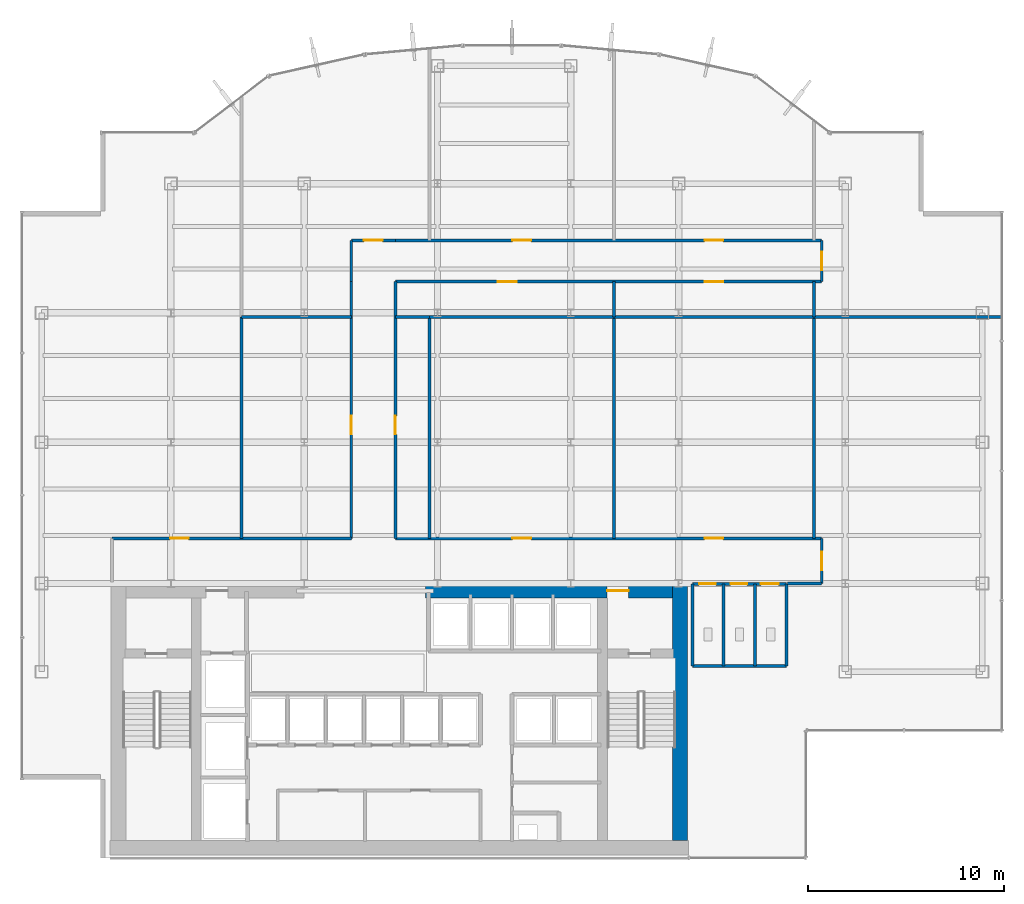
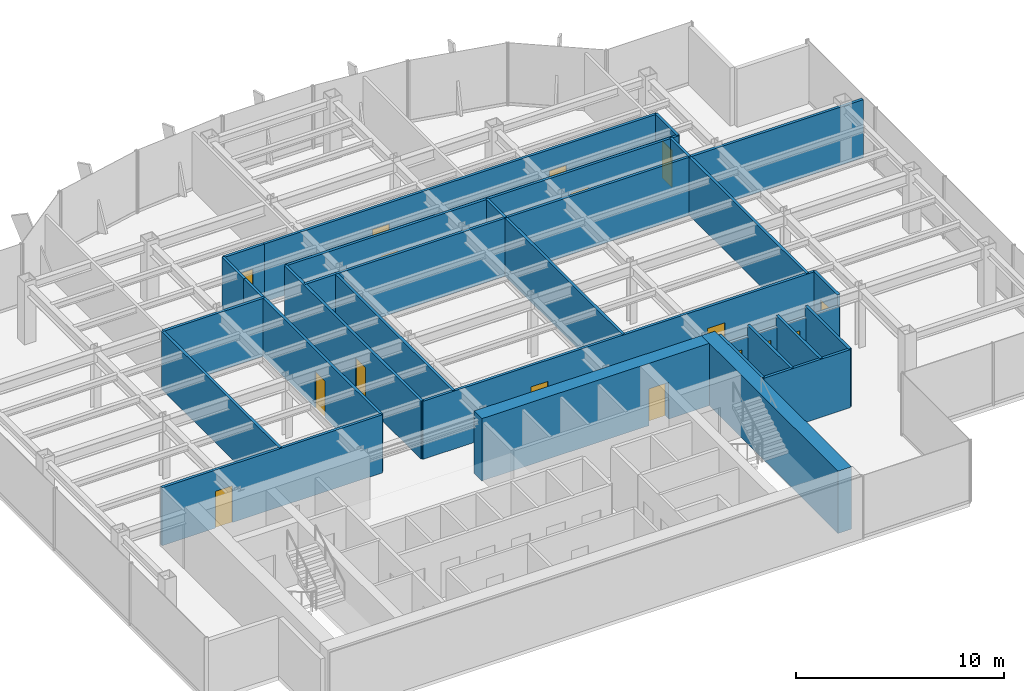
# One storey, part 21 of 25: 30 walls, 16 doors, 16 openings.
"""IFC4 building model written with IfcOpenShell, lengths in metres."""

from ifc_helpers import new_model, si_unit, derived_unit, direction, frame, frame_2d, origin, place, context, subcontext, project, spatial, rectangle, extrude, source, transform, mapped, material, layer, layer_set, type_object, element, fill, save


model = new_model("IFC4")

# Units and contexts
model_context = context("Model", 3, precision=1e-05, world=origin(), true_north=direction((0.0, 1.0)))
body_context = subcontext(model_context, "Body", "Model", "MODEL_VIEW")
ifc_project = project(units=[si_unit("LENGTHUNIT", "METRE"), si_unit("AREAUNIT", "SQUARE_METRE"), si_unit("VOLUMEUNIT", "CUBIC_METRE"), si_unit("PLANEANGLEUNIT", "RADIAN"), si_unit("MASSUNIT", "GRAM", prefix="KILO"), derived_unit("THERMALTRANSMITTANCEUNIT", [(si_unit("POWERUNIT", "WATT"), 1), (si_unit("LENGTHUNIT", "METRE"), -2), (si_unit("THERMODYNAMICTEMPERATUREUNIT", "KELVIN"), -1)])], contexts=[model_context])

# Site, building, storey
site_placement = place(None, origin())
site = spatial("IfcSite", under=ifc_project, at=site_placement, CompositionType="ELEMENT")
building_placement = place(site_placement, origin())
building = spatial("IfcBuilding", under=site, at=building_placement, Name="Skarnbrae Concourse Arena and Tower", CompositionType="ELEMENT")
storey_placement = place(building_placement, frame((0.0, 0.0, 173.449951171875)))
storey = spatial("IfcBuildingStorey", under=building, at=storey_placement, Name="L44", CompositionType="ELEMENT", Elevation=173.449951171875)

# Wall
ifc_material_1 = material(Name="Concrete 60 MPa (C60/75)", Category="concrete")
ifc_layer_1 = layer(ifc_material_1, 0.75)
ifc_layer_set_1 = layer_set([ifc_layer_1], Name="Concrete 60 MPa (C60/75)")
wall_type_1 = type_object("IfcWallType", Name="WALL-CORE-750-C60", PredefinedType="SHEAR", material=ifc_layer_set_1)
shared_shape_1 = source(origin(), body_context, "Body", "SweptSolid", [
    extrude(rectangle(XDim=13.10009765625, YDim=0.75, at=frame_2d((6.550048828125, 0.0))), origin(), (0.0, 0.0, 1.0), 3.650146484375),
])
wall_1_placement = place(storey_placement, frame((33.574951171875, 0.89990234375, 0.0), z_axis=(0.0, 0.0, 1.0), x_axis=(0.0, 1.0, 0.0)))
element("IfcWall", 1, at=wall_1_placement, inside=storey, type_object=wall_type_1, Name="L44 Rear core shear wall CW-E", PredefinedType="SHEAR", context=body_context, shape_type="MappedRepresentation", body=[
    mapped(shared_shape_1, transform((0.0, 0.0, 0.0))),
])

# Wall, opening, door
shared_shape_2 = source(origin(), body_context, "Body", "SweptSolid", [
    extrude(rectangle(XDim=12.599853515625, YDim=0.75, at=frame_2d((6.2998046875, 0.0))), origin(), (0.0, 0.0, 1.0), 3.650146484375),
])
wall_2_placement = place(storey_placement, frame((20.60009765625, 13.625, 0.0), z_axis=(0.0, 0.0, 1.0), x_axis=(1.0, 0.0, 0.0)))
wall_2 = element("IfcWall", 2, at=wall_2_placement, inside=storey, type_object=wall_type_1, Name="L44 Rear core shear wall CW-NE", PredefinedType="SHEAR", context=body_context, shape_type="MappedRepresentation", body=[
    mapped(shared_shape_2, transform((0.0, 0.0, 0.0))),
])
opening_1_placement = place(wall_2_placement, frame((9.25, 0.0, 0.0)))
opening_1 = element("IfcOpeningElement", 3, at=opening_1_placement, cuts=wall_2, Name="Opening DT-03", PredefinedType="OPENING", context=body_context, shape_type="SweptSolid", body=[
    extrude(rectangle(XDim=1.10009765625, YDim=2.14990234375, at=frame_2d((0.550048828125, 1.074951171875))), frame((0.0, 0.385009765625, 0.0), z_axis=(0.0, -1.0, 0.0), x_axis=(1.0, 0.0, 0.0)), (0.0, 0.0, 1.0), 0.77001953125),
])
ifc_material_2 = material(Name="Steel CSA G40.21 350W", Category="steel")
door_type_1 = type_object("IfcDoorType", Name="DOOR-FIRE-1100-90M", OperationType="NOTDEFINED", PredefinedType="DOOR", material=ifc_material_2)
shared_shape_3 = source(origin(), body_context, "Body", "SweptSolid", [
    extrude(rectangle(XDim=1.10009765625, YDim=2.14990234375, at=frame_2d((0.550048828125, 1.074951171875))), frame((0.0, 0.02490234375, 0.0), z_axis=(0.0, -1.0, 0.0), x_axis=(1.0, 0.0, 0.0)), (0.0, 0.0, 1.0), 0.050048828125),
])
door_1_placement = place(opening_1_placement, origin())
door_1 = element("IfcDoor", 4, at=door_1_placement, inside=storey, type_object=door_type_1, Name="D-1351 Stair ST-2 Vestibule Door", OperationType="SINGLE_SWING_LEFT", OverallHeight=2.14990234375, OverallWidth=1.10009765625, PredefinedType="DOOR", context=body_context, shape_type="MappedRepresentation", body=[
    mapped(shared_shape_3, transform((0.0, 0.0, 0.0))),
])
fill(opening_1, door_1)

# Walls
ifc_material_3 = material(Name="Gypsum board on cold-formed steel studs", Category="steel")
ifc_layer_2 = layer(ifc_material_3, 0.14990234375)
ifc_layer_set_2 = layer_set([ifc_layer_2], Name="Gypsum board on cold-formed steel studs")
wall_type_2 = type_object("IfcWallType", Name="WALL-PART-150", PredefinedType="PARTITIONING", material=ifc_layer_set_2)
shared_shape_4 = source(origin(), body_context, "Body", "SweptSolid", [
    extrude(rectangle(XDim=4.800048828125, YDim=0.14990234375, at=frame_2d((2.39990234375, 0.0))), origin(), (0.0, 0.0, 1.0), 3.400146484375),
])
wall_3_placement = place(storey_placement, frame((34.199951171875, 9.800048828125, 0.0), z_axis=(0.0, 0.0, 1.0), x_axis=(1.0, 0.0, 0.0)))
element("IfcWall", 5, at=wall_3_placement, inside=storey, type_object=wall_type_2, Name="L44 Interior partition wall W-L44-WC-S", PredefinedType="PARTITIONING", context=body_context, shape_type="MappedRepresentation", body=[
    mapped(shared_shape_4, transform((0.0, 0.0, 0.0))),
])
shared_shape_5 = source(origin(), body_context, "Body", "SweptSolid", [
    extrude(rectangle(XDim=4.179931640625, YDim=0.14990234375, at=frame_2d((2.08984375, 0.0))), origin(), (0.0, 0.0, 1.0), 3.400146484375),
])
for number, where, z_axis, x_axis, name in (
    (6, (39.0, 9.800048828125, 0.0), (0.0, 0.0, 1.0), (0.0, 1.0, 0.0), "L44 Interior partition wall W-L44-WC-E"),
    (7, (34.199951171875, 9.800048828125, 0.0), (0.0, 0.0, 1.0), (0.0, 1.0, 0.0), "L44 Interior partition wall W-L44-WC-W"),
    (8, (35.800048828125, 9.800048828125, 0.0), (0.0, 0.0, 1.0), (0.0, 1.0, 0.0), "L44 Interior partition wall W-L44-WC-D1"),
    (9, (37.39990234375, 9.800048828125, 0.0), (0.0, 0.0, 1.0), (0.0, 1.0, 0.0), "L44 Interior partition wall W-L44-WC-D2"),
):
    element("IfcWall", number, at=place(storey_placement, frame(where, z_axis=z_axis, x_axis=x_axis)), inside=storey, type_object=wall_type_2, Name=name, PredefinedType="PARTITIONING", context=body_context, shape_type="MappedRepresentation", body=[
        mapped(shared_shape_5, transform((0.0, 0.0, 0.0))),
    ])

# Wall, opening, door
ifc_layer_3 = layer(ifc_material_3, 0.14990234375)
ifc_layer_set_3 = layer_set([ifc_layer_3], Name="Gypsum board on cold-formed steel studs")
wall_type_3 = type_object("IfcWallType", Name="WALL-PART-150-1HR", PredefinedType="PARTITIONING", material=ifc_layer_set_3)
shared_shape_6 = source(origin(), body_context, "Body", "SweptSolid", [
    extrude(rectangle(XDim=2.25, YDim=0.14990234375, at=frame_2d((1.125, 0.0))), origin(), (0.0, 0.0, 1.0), 3.400146484375),
])
wall_4_placement = place(storey_placement, frame((16.800048828125, 31.5, 0.0), z_axis=(0.0, 0.0, 1.0), x_axis=(1.0, 0.0, 0.0)))
wall_4 = element("IfcWall", 10, at=wall_4_placement, inside=storey, type_object=wall_type_3, Name="L44 Interior partition wall W-L44-COR-05", PredefinedType="PARTITIONING", context=body_context, shape_type="MappedRepresentation", body=[
    mapped(shared_shape_6, transform((0.0, 0.0, 0.0))),
])
opening_2_placement = place(wall_4_placement, frame((0.64990234375, 0.0, 0.0)))
opening_2 = element("IfcOpeningElement", 11, at=opening_2_placement, cuts=wall_4, Name="Opening DT-04", PredefinedType="OPENING", context=body_context, shape_type="SweptSolid", body=[
    extrude(rectangle(XDim=0.949951171875, YDim=2.14990234375, at=frame_2d((0.47509765625, 1.074951171875))), frame((0.0, 0.0849609375, 0.0), z_axis=(0.0, -1.0, 0.0), x_axis=(1.0, 0.0, 0.0)), (0.0, 0.0, 1.0), 0.169921875),
])
door_type_2 = type_object("IfcDoorType", Name="DOOR-INT-950-45M", OperationType="NOTDEFINED", PredefinedType="DOOR", material=ifc_material_2)
shared_shape_7 = source(origin(), body_context, "Body", "SweptSolid", [
    extrude(rectangle(XDim=0.949951171875, YDim=2.14990234375, at=frame_2d((0.47509765625, 1.074951171875))), frame((0.0, 0.02490234375, 0.0), z_axis=(0.0, -1.0, 0.0), x_axis=(1.0, 0.0, 0.0)), (0.0, 0.0, 1.0), 0.050048828125),
])
door_2_placement = place(opening_2_placement, origin())
door_2 = element("IfcDoor", 12, at=door_2_placement, inside=storey, type_object=door_type_2, Name="D-1370 L44 Suite Door 03", OperationType="SINGLE_SWING_RIGHT", OverallHeight=2.14990234375, OverallWidth=0.949951171875, PredefinedType="DOOR", context=body_context, shape_type="MappedRepresentation", body=[
    mapped(shared_shape_7, transform((0.0, 0.0, 0.0))),
])
fill(opening_2, door_2)

# Wall
shared_shape_8 = source(origin(), body_context, "Body", "SweptSolid", [
    extrude(rectangle(XDim=2.10009765625, YDim=0.14990234375, at=frame_2d((1.050048828125, 0.0))), origin(), (0.0, 0.0, 1.0), 3.400146484375),
])
wall_5_placement = place(storey_placement, frame((16.800048828125, 29.39990234375, 0.0), z_axis=(0.0, 0.0, 1.0), x_axis=(0.0, 1.0, 0.0)))
element("IfcWall", 13, at=wall_5_placement, inside=storey, type_object=wall_type_3, Name="L44 Interior partition wall W-L44-COR-04", PredefinedType="PARTITIONING", context=body_context, shape_type="MappedRepresentation", body=[
    mapped(shared_shape_8, transform((0.0, 0.0, 0.0))),
])

# Wall, opening, door
wall_6_placement = place(storey_placement, frame((40.800048828125, 31.5, 0.0), z_axis=(0.0, 0.0, 1.0), x_axis=(0.0, -1.0, 0.0)))
wall_6 = element("IfcWall", 14, at=wall_6_placement, inside=storey, type_object=wall_type_3, Name="L44 Interior partition wall W-L44-COR-07", PredefinedType="PARTITIONING", context=body_context, shape_type="MappedRepresentation", body=[
    mapped(shared_shape_8, transform((0.0, 0.0, 0.0))),
])
opening_3_placement = place(wall_6_placement, frame((0.574951171875, 0.0, 0.0)))
opening_3 = element("IfcOpeningElement", 15, at=opening_3_placement, cuts=wall_6, Name="Opening DT-04", PredefinedType="OPENING", context=body_context, shape_type="SweptSolid", body=[
    extrude(rectangle(XDim=0.949951171875, YDim=2.14990234375, at=frame_2d((0.47509765625, 1.074951171875))), frame((0.0, 0.0849609375, 0.0), z_axis=(0.0, -1.0, 0.0), x_axis=(1.0, 0.0, 0.0)), (0.0, 0.0, 1.0), 0.169921875),
])
door_3_placement = place(opening_3_placement, origin())
door_3 = element("IfcDoor", 16, at=door_3_placement, inside=storey, type_object=door_type_2, Name="D-1379 L44 Suite Door 12", OperationType="SINGLE_SWING_LEFT", OverallHeight=2.14990234375, OverallWidth=0.949951171875, PredefinedType="DOOR", context=body_context, shape_type="MappedRepresentation", body=[
    mapped(shared_shape_7, transform((0.0, 0.0, 0.0))),
])
fill(opening_3, door_3)

shared_shape_9 = source(origin(), body_context, "Body", "SweptSolid", [
    extrude(rectangle(XDim=2.300048828125, YDim=0.14990234375, at=frame_2d((1.14990234375, 0.0))), origin(), (0.0, 0.0, 1.0), 3.400146484375),
])
wall_7_placement = place(storey_placement, frame((40.800048828125, 16.300048828125, 0.0), z_axis=(0.0, 0.0, 1.0), x_axis=(0.0, -1.0, 0.0)))
wall_7 = element("IfcWall", 17, at=wall_7_placement, inside=storey, type_object=wall_type_3, Name="L44 Interior partition wall W-L44-COR-11", PredefinedType="PARTITIONING", context=body_context, shape_type="MappedRepresentation", body=[
    mapped(shared_shape_9, transform((0.0, 0.0, 0.0))),
])
opening_4_placement = place(wall_7_placement, frame((0.675048828125, 0.0, 0.0)))
opening_4 = element("IfcOpeningElement", 18, at=opening_4_placement, cuts=wall_7, Name="Opening DT-04", PredefinedType="OPENING", context=body_context, shape_type="SweptSolid", body=[
    extrude(rectangle(XDim=0.949951171875, YDim=2.14990234375, at=frame_2d((0.47509765625, 1.074951171875))), frame((0.0, 0.0849609375, 0.0), z_axis=(0.0, -1.0, 0.0), x_axis=(1.0, 0.0, 0.0)), (0.0, 0.0, 1.0), 0.169921875),
])
door_4_placement = place(opening_4_placement, origin())
door_4 = element("IfcDoor", 19, at=door_4_placement, inside=storey, type_object=door_type_2, Name="D-1378 L44 Suite Door 11", OperationType="SINGLE_SWING_RIGHT", OverallHeight=2.14990234375, OverallWidth=0.949951171875, PredefinedType="DOOR", context=body_context, shape_type="MappedRepresentation", body=[
    mapped(shared_shape_7, transform((0.0, 0.0, 0.0))),
])
fill(opening_4, door_4)

# Wall, openings, doors
shared_shape_10 = source(origin(), body_context, "Body", "SweptSolid", [
    extrude(rectangle(XDim=4.800048828125, YDim=0.14990234375, at=frame_2d((2.39990234375, 0.0))), origin(), (0.0, 0.0, 1.0), 2.760009765625),
])
wall_8_placement = place(storey_placement, frame((34.199951171875, 13.97998046875, 0.0), z_axis=(0.0, 0.0, 1.0), x_axis=(1.0, 0.0, 0.0)))
wall_8 = element("IfcWall", 20, at=wall_8_placement, inside=storey, type_object=wall_type_2, Name="L44 Interior partition wall W-L44-WC-N", PredefinedType="PARTITIONING", context=body_context, shape_type="MappedRepresentation", body=[
    mapped(shared_shape_10, transform((0.0, 0.0, 0.0))),
])
opening_5_placement = place(wall_8_placement, frame((0.35009765625, 0.0, 0.0)))
opening_5 = element("IfcOpeningElement", 21, at=opening_5_placement, cuts=wall_8, Name="Opening DT-06", PredefinedType="OPENING", context=body_context, shape_type="SweptSolid", body=[
    extrude(rectangle(XDim=0.85009765625, YDim=2.10009765625, at=frame_2d((0.425048828125, 1.050048828125))), frame((0.0, 0.0849609375, 0.0), z_axis=(0.0, -1.0, 0.0), x_axis=(1.0, 0.0, 0.0)), (0.0, 0.0, 1.0), 0.169921875),
])
opening_6_placement = place(wall_8_placement, frame((1.949951171875, 0.0, 0.0)))
opening_6 = element("IfcOpeningElement", 22, at=opening_6_placement, cuts=wall_8, Name="Opening DT-06", PredefinedType="OPENING", context=body_context, shape_type="SweptSolid", body=[
    extrude(rectangle(XDim=0.85009765625, YDim=2.10009765625, at=frame_2d((0.425048828125, 1.050048828125))), frame((0.0, 0.0849609375, 0.0), z_axis=(0.0, -1.0, 0.0), x_axis=(1.0, 0.0, 0.0)), (0.0, 0.0, 1.0), 0.169921875),
])
opening_7_placement = place(wall_8_placement, frame((3.5, 0.0, 0.0)))
opening_7 = element("IfcOpeningElement", 23, at=opening_7_placement, cuts=wall_8, Name="Opening DT-05", PredefinedType="OPENING", context=body_context, shape_type="SweptSolid", body=[
    extrude(rectangle(XDim=0.89990234375, YDim=2.10009765625, at=frame_2d((0.449951171875, 1.050048828125))), frame((0.0, 0.0849609375, 0.0), z_axis=(0.0, -1.0, 0.0), x_axis=(1.0, 0.0, 0.0)), (0.0, 0.0, 1.0), 0.169921875),
])
ifc_material_4 = material(Name="Architectural oak veneer timber leaf", Category="wood")
door_type_3 = type_object("IfcDoorType", Name="DOOR-INT-850", OperationType="NOTDEFINED", PredefinedType="DOOR", material=ifc_material_4)
shared_shape_11 = source(origin(), body_context, "Body", "SweptSolid", [
    extrude(rectangle(XDim=0.85009765625, YDim=2.10009765625, at=frame_2d((0.425048828125, 1.050048828125))), frame((0.0, 0.02490234375, 0.0), z_axis=(0.0, -1.0, 0.0), x_axis=(1.0, 0.0, 0.0)), (0.0, 0.0, 1.0), 0.050048828125),
])
door_5_placement = place(opening_5_placement, frame((0.85009765625, 0.0, 0.0), z_axis=(0.0, 0.0, 1.0), x_axis=(-1.0, 0.0, 0.0)))
door_5 = element("IfcDoor", 24, at=door_5_placement, inside=storey, type_object=door_type_3, Name="D-1365 Male Washroom Door", OperationType="SINGLE_SWING_LEFT", OverallHeight=2.10009765625, OverallWidth=0.85009765625, PredefinedType="DOOR", context=body_context, shape_type="MappedRepresentation", body=[
    mapped(shared_shape_11, transform((0.0, 0.0, 0.0))),
])
fill(opening_5, door_5)
door_6_placement = place(opening_6_placement, frame((0.85009765625, 0.0, 0.0), z_axis=(0.0, 0.0, 1.0), x_axis=(-1.0, 0.0, 0.0)))
door_6 = element("IfcDoor", 25, at=door_6_placement, inside=storey, type_object=door_type_3, Name="D-1366 Female Washroom Door", OperationType="SINGLE_SWING_RIGHT", OverallHeight=2.10009765625, OverallWidth=0.85009765625, PredefinedType="DOOR", context=body_context, shape_type="MappedRepresentation", body=[
    mapped(shared_shape_11, transform((0.0, 0.0, 0.0))),
])
fill(opening_6, door_6)
door_type_4 = type_object("IfcDoorType", Name="DOOR-INT-900", OperationType="NOTDEFINED", PredefinedType="DOOR", material=ifc_material_4)
shared_shape_12 = source(origin(), body_context, "Body", "SweptSolid", [
    extrude(rectangle(XDim=0.89990234375, YDim=2.10009765625, at=frame_2d((0.449951171875, 1.050048828125))), frame((0.0, 0.02490234375, 0.0), z_axis=(0.0, -1.0, 0.0), x_axis=(1.0, 0.0, 0.0)), (0.0, 0.0, 1.0), 0.050048828125),
])
door_7_placement = place(opening_7_placement, frame((0.89990234375, 0.0, 0.0), z_axis=(0.0, 0.0, 1.0), x_axis=(-1.0, 0.0, 0.0)))
door_7 = element("IfcDoor", 26, at=door_7_placement, inside=storey, type_object=door_type_4, Name="D-1367 Accessible WC Door", OperationType="SINGLE_SWING_LEFT", OverallHeight=2.10009765625, OverallWidth=0.89990234375, PredefinedType="DOOR", context=body_context, shape_type="MappedRepresentation", body=[
    mapped(shared_shape_12, transform((0.0, 0.0, 0.0))),
])
fill(opening_7, door_7)

# Wall
shared_shape_13 = source(origin(), body_context, "Body", "SweptSolid", [
    extrude(rectangle(XDim=1.75, YDim=0.14990234375, at=frame_2d((0.875, 0.0))), origin(), (0.0, 0.0, 1.0), 2.760009765625),
])
wall_9_placement = place(storey_placement, frame((40.800048828125, 14.0, 0.0), z_axis=(0.0, 0.0, 1.0), x_axis=(-1.0, 0.0, 0.0)))
element("IfcWall", 27, at=wall_9_placement, inside=storey, type_object=wall_type_3, Name="L44 Interior partition wall W-L44-COR-12", PredefinedType="PARTITIONING", context=body_context, shape_type="MappedRepresentation", body=[
    mapped(shared_shape_13, transform((0.0, 0.0, 0.0))),
])

# Wall, opening, door
shared_shape_14 = source(origin(), body_context, "Body", "SweptSolid", [
    extrude(rectangle(XDim=12.199951171875, YDim=0.14990234375, at=frame_2d((6.10009765625, 0.0))), origin(), (0.0, 0.0, 1.0), 3.400146484375),
])
wall_10_placement = place(storey_placement, frame((4.60009765625, 16.300048828125, 0.0), z_axis=(0.0, 0.0, 1.0), x_axis=(1.0, 0.0, 0.0)))
wall_10 = element("IfcWall", 28, at=wall_10_placement, inside=storey, type_object=wall_type_3, Name="L44 Interior partition wall W-L44-COR-02", PredefinedType="PARTITIONING", context=body_context, shape_type="MappedRepresentation", body=[
    mapped(shared_shape_14, transform((0.0, 0.0, 0.0))),
])
opening_8_placement = place(wall_10_placement, frame((2.955078125, 0.0, 0.0)))
opening_8 = element("IfcOpeningElement", 29, at=opening_8_placement, cuts=wall_10, Name="Opening DT-04", PredefinedType="OPENING", context=body_context, shape_type="SweptSolid", body=[
    extrude(rectangle(XDim=0.949951171875, YDim=2.14990234375, at=frame_2d((0.47509765625, 1.074951171875))), frame((0.0, 0.0849609375, 0.0), z_axis=(0.0, -1.0, 0.0), x_axis=(1.0, 0.0, 0.0)), (0.0, 0.0, 1.0), 0.169921875),
])
door_8_placement = place(opening_8_placement, origin())
door_8 = element("IfcDoor", 30, at=door_8_placement, inside=storey, type_object=door_type_2, Name="D-1368 L44 Suite Door 01", OperationType="SINGLE_SWING_RIGHT", OverallHeight=2.14990234375, OverallWidth=0.949951171875, PredefinedType="DOOR", context=body_context, shape_type="MappedRepresentation", body=[
    mapped(shared_shape_7, transform((0.0, 0.0, 0.0))),
])
fill(opening_8, door_8)

shared_shape_15 = source(origin(), body_context, "Body", "SweptSolid", [
    extrude(rectangle(XDim=13.099853515625, YDim=0.14990234375, at=frame_2d((6.5498046875, 0.0))), origin(), (0.0, 0.0, 1.0), 3.400146484375),
])
wall_11_placement = place(storey_placement, frame((16.800048828125, 16.300048828125, 0.0), z_axis=(0.0, 0.0, 1.0), x_axis=(0.0, 1.0, 0.0)))
wall_11 = element("IfcWall", 31, at=wall_11_placement, inside=storey, type_object=wall_type_3, Name="L44 Interior partition wall W-L44-COR-03", PredefinedType="PARTITIONING", context=body_context, shape_type="MappedRepresentation", body=[
    mapped(shared_shape_15, transform((0.0, 0.0, 0.0))),
])
opening_9_placement = place(wall_11_placement, frame((5.304931640625, 0.0, 0.0)))
opening_9 = element("IfcOpeningElement", 32, at=opening_9_placement, cuts=wall_11, Name="Opening DT-04", PredefinedType="OPENING", context=body_context, shape_type="SweptSolid", body=[
    extrude(rectangle(XDim=0.949951171875, YDim=2.14990234375, at=frame_2d((0.47509765625, 1.074951171875))), frame((0.0, 0.0849609375, 0.0), z_axis=(0.0, -1.0, 0.0), x_axis=(1.0, 0.0, 0.0)), (0.0, 0.0, 1.0), 0.169921875),
])
door_9_placement = place(opening_9_placement, origin())
door_9 = element("IfcDoor", 33, at=door_9_placement, inside=storey, type_object=door_type_2, Name="D-1369 L44 Suite Door 02", OperationType="SINGLE_SWING_LEFT", OverallHeight=2.14990234375, OverallWidth=0.949951171875, PredefinedType="DOOR", context=body_context, shape_type="MappedRepresentation", body=[
    mapped(shared_shape_7, transform((0.0, 0.0, 0.0))),
])
fill(opening_9, door_9)

wall_12_placement = place(storey_placement, frame((19.050048828125, 29.39990234375, 0.0), z_axis=(0.0, 0.0, 1.0), x_axis=(0.0, -1.0, 0.0)))
wall_12 = element("IfcWall", 34, at=wall_12_placement, inside=storey, type_object=wall_type_3, Name="L44 Interior partition wall W-L44-COR-09", PredefinedType="PARTITIONING", context=body_context, shape_type="MappedRepresentation", body=[
    mapped(shared_shape_15, transform((0.0, 0.0, 0.0))),
])
opening_10_placement = place(wall_12_placement, frame((6.844970703125, 0.0, 0.0)))
opening_10 = element("IfcOpeningElement", 35, at=opening_10_placement, cuts=wall_12, Name="Opening DT-04", PredefinedType="OPENING", context=body_context, shape_type="SweptSolid", body=[
    extrude(rectangle(XDim=0.949951171875, YDim=2.14990234375, at=frame_2d((0.47509765625, 1.074951171875))), frame((0.0, 0.0849609375, 0.0), z_axis=(0.0, -1.0, 0.0), x_axis=(1.0, 0.0, 0.0)), (0.0, 0.0, 1.0), 0.169921875),
])
door_10_placement = place(opening_10_placement, origin())
door_10 = element("IfcDoor", 36, at=door_10_placement, inside=storey, type_object=door_type_2, Name="D-1371 L44 Suite Door 04", OperationType="SINGLE_SWING_LEFT", OverallHeight=2.14990234375, OverallWidth=0.949951171875, PredefinedType="DOOR", context=body_context, shape_type="MappedRepresentation", body=[
    mapped(shared_shape_7, transform((0.0, 0.0, 0.0))),
])
fill(opening_10, door_10)

# Wall, openings, doors
shared_shape_16 = source(origin(), body_context, "Body", "SweptSolid", [
    extrude(rectangle(XDim=21.75, YDim=0.14990234375, at=frame_2d((10.875, 0.0))), origin(), (0.0, 0.0, 1.0), 3.400146484375),
])
wall_13_placement = place(storey_placement, frame((19.050048828125, 31.5, 0.0), z_axis=(0.0, 0.0, 1.0), x_axis=(1.0, 0.0, 0.0)))
wall_13 = element("IfcWall", 37, at=wall_13_placement, inside=storey, type_object=wall_type_3, Name="L44 Interior partition wall W-L44-COR-06", PredefinedType="PARTITIONING", context=body_context, shape_type="MappedRepresentation", body=[
    mapped(shared_shape_16, transform((0.0, 0.0, 0.0))),
])
opening_11_placement = place(wall_13_placement, frame((5.97509765625, 0.0, 0.0)))
opening_11 = element("IfcOpeningElement", 38, at=opening_11_placement, cuts=wall_13, Name="Opening DT-04", PredefinedType="OPENING", context=body_context, shape_type="SweptSolid", body=[
    extrude(rectangle(XDim=0.949951171875, YDim=2.14990234375, at=frame_2d((0.47509765625, 1.074951171875))), frame((0.0, 0.0849609375, 0.0), z_axis=(0.0, -1.0, 0.0), x_axis=(1.0, 0.0, 0.0)), (0.0, 0.0, 1.0), 0.169921875),
])
opening_12_placement = place(wall_13_placement, frame((15.77490234375, 0.0, 0.0)))
opening_12 = element("IfcOpeningElement", 39, at=opening_12_placement, cuts=wall_13, Name="Opening DT-04", PredefinedType="OPENING", context=body_context, shape_type="SweptSolid", body=[
    extrude(rectangle(XDim=0.949951171875, YDim=2.14990234375, at=frame_2d((0.47509765625, 1.074951171875))), frame((0.0, 0.0849609375, 0.0), z_axis=(0.0, -1.0, 0.0), x_axis=(1.0, 0.0, 0.0)), (0.0, 0.0, 1.0), 0.169921875),
])
door_11_placement = place(opening_11_placement, origin())
door_11 = element("IfcDoor", 40, at=door_11_placement, inside=storey, type_object=door_type_2, Name="D-1374 L44 Suite Door 07", OperationType="SINGLE_SWING_RIGHT", OverallHeight=2.14990234375, OverallWidth=0.949951171875, PredefinedType="DOOR", context=body_context, shape_type="MappedRepresentation", body=[
    mapped(shared_shape_7, transform((0.0, 0.0, 0.0))),
])
fill(opening_11, door_11)
door_12_placement = place(opening_12_placement, origin())
door_12 = element("IfcDoor", 41, at=door_12_placement, inside=storey, type_object=door_type_2, Name="D-1375 L44 Suite Door 08", OperationType="SINGLE_SWING_LEFT", OverallHeight=2.14990234375, OverallWidth=0.949951171875, PredefinedType="DOOR", context=body_context, shape_type="MappedRepresentation", body=[
    mapped(shared_shape_7, transform((0.0, 0.0, 0.0))),
])
fill(opening_12, door_12)

wall_14_placement = place(storey_placement, frame((40.800048828125, 29.39990234375, 0.0), z_axis=(0.0, 0.0, 1.0), x_axis=(-1.0, 0.0, 0.0)))
wall_14 = element("IfcWall", 42, at=wall_14_placement, inside=storey, type_object=wall_type_3, Name="L44 Interior partition wall W-L44-COR-08", PredefinedType="PARTITIONING", context=body_context, shape_type="MappedRepresentation", body=[
    mapped(shared_shape_16, transform((0.0, 0.0, 0.0))),
])
opening_13_placement = place(wall_14_placement, frame((15.570068359375, 0.0, 0.0)))
opening_13 = element("IfcOpeningElement", 43, at=opening_13_placement, cuts=wall_14, Name="Opening DT-04", PredefinedType="OPENING", context=body_context, shape_type="SweptSolid", body=[
    extrude(rectangle(XDim=0.949951171875, YDim=2.14990234375, at=frame_2d((0.47509765625, 1.074951171875))), frame((0.0, 0.0849609375, 0.0), z_axis=(0.0, -1.0, 0.0), x_axis=(1.0, 0.0, 0.0)), (0.0, 0.0, 1.0), 0.169921875),
])
opening_14_placement = place(wall_14_placement, frame((5.02490234375, 0.0, 0.0)))
opening_14 = element("IfcOpeningElement", 44, at=opening_14_placement, cuts=wall_14, Name="Opening DT-04", PredefinedType="OPENING", context=body_context, shape_type="SweptSolid", body=[
    extrude(rectangle(XDim=0.949951171875, YDim=2.14990234375, at=frame_2d((0.47509765625, 1.074951171875))), frame((0.0, 0.0849609375, 0.0), z_axis=(0.0, -1.0, 0.0), x_axis=(1.0, 0.0, 0.0)), (0.0, 0.0, 1.0), 0.169921875),
])
door_13_placement = place(opening_13_placement, origin())
door_13 = element("IfcDoor", 45, at=door_13_placement, inside=storey, type_object=door_type_2, Name="D-1372 L44 Suite Door 05", OperationType="SINGLE_SWING_RIGHT", OverallHeight=2.14990234375, OverallWidth=0.949951171875, PredefinedType="DOOR", context=body_context, shape_type="MappedRepresentation", body=[
    mapped(shared_shape_7, transform((0.0, 0.0, 0.0))),
])
fill(opening_13, door_13)
door_14_placement = place(opening_14_placement, origin())
door_14 = element("IfcDoor", 46, at=door_14_placement, inside=storey, type_object=door_type_2, Name="D-1377 L44 Suite Door 10", OperationType="SINGLE_SWING_LEFT", OverallHeight=2.14990234375, OverallWidth=0.949951171875, PredefinedType="DOOR", context=body_context, shape_type="MappedRepresentation", body=[
    mapped(shared_shape_7, transform((0.0, 0.0, 0.0))),
])
fill(opening_14, door_14)

wall_15_placement = place(storey_placement, frame((19.050048828125, 16.300048828125, 0.0), z_axis=(0.0, 0.0, 1.0), x_axis=(1.0, 0.0, 0.0)))
wall_15 = element("IfcWall", 47, at=wall_15_placement, inside=storey, type_object=wall_type_3, Name="L44 Interior partition wall W-L44-COR-10", PredefinedType="PARTITIONING", context=body_context, shape_type="MappedRepresentation", body=[
    mapped(shared_shape_16, transform((0.0, 0.0, 0.0))),
])
opening_15_placement = place(wall_15_placement, frame((5.97509765625, 0.0, 0.0)))
opening_15 = element("IfcOpeningElement", 48, at=opening_15_placement, cuts=wall_15, Name="Opening DT-04", PredefinedType="OPENING", context=body_context, shape_type="SweptSolid", body=[
    extrude(rectangle(XDim=0.949951171875, YDim=2.14990234375, at=frame_2d((0.47509765625, 1.074951171875))), frame((0.0, 0.0849609375, 0.0), z_axis=(0.0, -1.0, 0.0), x_axis=(1.0, 0.0, 0.0)), (0.0, 0.0, 1.0), 0.169921875),
])
opening_16_placement = place(wall_15_placement, frame((15.77490234375, 0.0, 0.0)))
opening_16 = element("IfcOpeningElement", 49, at=opening_16_placement, cuts=wall_15, Name="Opening DT-04", PredefinedType="OPENING", context=body_context, shape_type="SweptSolid", body=[
    extrude(rectangle(XDim=0.949951171875, YDim=2.14990234375, at=frame_2d((0.47509765625, 1.074951171875))), frame((0.0, 0.0849609375, 0.0), z_axis=(0.0, -1.0, 0.0), x_axis=(1.0, 0.0, 0.0)), (0.0, 0.0, 1.0), 0.169921875),
])
door_15_placement = place(opening_15_placement, origin())
door_15 = element("IfcDoor", 50, at=door_15_placement, inside=storey, type_object=door_type_2, Name="D-1373 L44 Suite Door 06", OperationType="SINGLE_SWING_LEFT", OverallHeight=2.14990234375, OverallWidth=0.949951171875, PredefinedType="DOOR", context=body_context, shape_type="MappedRepresentation", body=[
    mapped(shared_shape_7, transform((0.0, 0.0, 0.0))),
])
fill(opening_15, door_15)
door_16_placement = place(opening_16_placement, origin())
door_16 = element("IfcDoor", 51, at=door_16_placement, inside=storey, type_object=door_type_2, Name="D-1376 L44 Suite Door 09", OperationType="SINGLE_SWING_RIGHT", OverallHeight=2.14990234375, OverallWidth=0.949951171875, PredefinedType="DOOR", context=body_context, shape_type="MappedRepresentation", body=[
    mapped(shared_shape_7, transform((0.0, 0.0, 0.0))),
])
fill(opening_16, door_16)

# Walls
shared_shape_17 = source(origin(), body_context, "Body", "SweptSolid", [
    extrude(rectangle(XDim=11.300048828125, YDim=0.14990234375, at=frame_2d((5.64990234375, 0.0))), origin(), (0.0, 0.0, 1.0), 3.400146484375),
])
for number, where, z_axis, x_axis, name in (
    (52, (11.199951171875, 27.60009765625, 0.0), (0.0, 0.0, 1.0), (0.0, -1.0, 0.0), "L44 Interior partition wall W-L44-DEM-13"),
    (53, (20.800048828125, 27.60009765625, 0.0), (0.0, 0.0, 1.0), (0.0, -1.0, 0.0), "L44 Interior partition wall W-L44-DEM-17"),
    (54, (30.199951171875, 27.60009765625, 0.0), (0.0, 0.0, 1.0), (0.0, -1.0, 0.0), "L44 Interior partition wall W-L44-DEM-20"),
    (55, (40.39990234375, 27.60009765625, 0.0), (0.0, 0.0, 1.0), (0.0, -1.0, 0.0), "L44 Interior partition wall W-L44-DEM-24"),
):
    element("IfcWall", number, at=place(storey_placement, frame(where, z_axis=z_axis, x_axis=x_axis)), inside=storey, type_object=wall_type_2, Name=name, PredefinedType="PARTITIONING", context=body_context, shape_type="MappedRepresentation", body=[
        mapped(shared_shape_17, transform((0.0, 0.0, 0.0))),
    ])
shared_shape_18 = source(origin(), body_context, "Body", "SweptSolid", [
    extrude(rectangle(XDim=5.60009765625, YDim=0.14990234375, at=frame_2d((2.800048828125, 0.0))), origin(), (0.0, 0.0, 1.0), 3.400146484375),
])
wall_16_placement = place(storey_placement, frame((11.199951171875, 27.60009765625, 0.0), z_axis=(0.0, 0.0, 1.0), x_axis=(1.0, 0.0, 0.0)))
element("IfcWall", 56, at=wall_16_placement, inside=storey, type_object=wall_type_2, Name="L44 Interior partition wall W-L44-DEM-14", PredefinedType="PARTITIONING", context=body_context, shape_type="MappedRepresentation", body=[
    mapped(shared_shape_18, transform((0.0, 0.0, 0.0))),
])
shared_shape_19 = source(origin(), body_context, "Body", "SweptSolid", [
    extrude(rectangle(XDim=1.75, YDim=0.14990234375, at=frame_2d((0.875, 0.0))), origin(), (0.0, 0.0, 1.0), 3.400146484375),
])
wall_17_placement = place(storey_placement, frame((19.050048828125, 27.60009765625, 0.0), z_axis=(0.0, 0.0, 1.0), x_axis=(1.0, 0.0, 0.0)))
element("IfcWall", 57, at=wall_17_placement, inside=storey, type_object=wall_type_2, Name="L44 Interior partition wall W-L44-DEM-16", PredefinedType="PARTITIONING", context=body_context, shape_type="MappedRepresentation", body=[
    mapped(shared_shape_19, transform((0.0, 0.0, 0.0))),
])
shared_shape_20 = source(origin(), body_context, "Body", "SweptSolid", [
    extrude(rectangle(XDim=9.39990234375, YDim=0.14990234375, at=frame_2d((4.699951171875, 0.0))), origin(), (0.0, 0.0, 1.0), 3.400146484375),
])
wall_18_placement = place(storey_placement, frame((30.199951171875, 27.60009765625, 0.0), z_axis=(0.0, 0.0, 1.0), x_axis=(-1.0, 0.0, 0.0)))
element("IfcWall", 58, at=wall_18_placement, inside=storey, type_object=wall_type_2, Name="L44 Interior partition wall W-L44-DEM-18", PredefinedType="PARTITIONING", context=body_context, shape_type="MappedRepresentation", body=[
    mapped(shared_shape_20, transform((0.0, 0.0, 0.0))),
])
shared_shape_21 = source(origin(), body_context, "Body", "SweptSolid", [
    extrude(rectangle(XDim=10.199951171875, YDim=0.14990234375, at=frame_2d((5.10009765625, 0.0))), origin(), (0.0, 0.0, 1.0), 3.400146484375),
])
wall_19_placement = place(storey_placement, frame((30.199951171875, 27.60009765625, 0.0), z_axis=(0.0, 0.0, 1.0), x_axis=(1.0, 0.0, 0.0)))
element("IfcWall", 59, at=wall_19_placement, inside=storey, type_object=wall_type_2, Name="L44 Interior partition wall W-L44-DEM-21", PredefinedType="PARTITIONING", context=body_context, shape_type="MappedRepresentation", body=[
    mapped(shared_shape_21, transform((0.0, 0.0, 0.0))),
])
shared_shape_22 = source(origin(), body_context, "Body", "SweptSolid", [
    extrude(rectangle(XDim=1.7998046875, YDim=0.14990234375, at=frame_2d((0.89990234375, 0.0))), origin(), (0.0, 0.0, 1.0), 3.400146484375),
])
for number, where, z_axis, x_axis, name in (
    (60, (30.199951171875, 29.39990234375, 0.0), (0.0, 0.0, 1.0), (0.0, -1.0, 0.0), "L44 Interior partition wall W-L44-DEM-22"),
    (61, (40.39990234375, 29.39990234375, 0.0), (0.0, 0.0, 1.0), (0.0, -1.0, 0.0), "L44 Interior partition wall W-L44-DEM-26"),
):
    element("IfcWall", number, at=place(storey_placement, frame(where, z_axis=z_axis, x_axis=x_axis)), inside=storey, type_object=wall_type_2, Name=name, PredefinedType="PARTITIONING", context=body_context, shape_type="MappedRepresentation", body=[
        mapped(shared_shape_22, transform((0.0, 0.0, 0.0))),
    ])
shared_shape_23 = source(origin(), body_context, "Body", "SweptSolid", [
    extrude(rectangle(XDim=9.580078125, YDim=0.14990234375, at=frame_2d((4.7900390625, 0.0))), origin(), (0.0, 0.0, 1.0), 3.400146484375),
])
wall_20_placement = place(storey_placement, frame((40.39990234375, 27.60009765625, 0.0), z_axis=(0.0, 0.0, 1.0), x_axis=(1.0, 0.0, 0.0)))
element("IfcWall", 62, at=wall_20_placement, inside=storey, type_object=wall_type_2, Name="L44 Interior partition wall W-L44-DEM-25", PredefinedType="PARTITIONING", context=body_context, shape_type="MappedRepresentation", body=[
    mapped(shared_shape_23, transform((0.0, 0.0, 0.0))),
])

save(model, "model.ifc")
